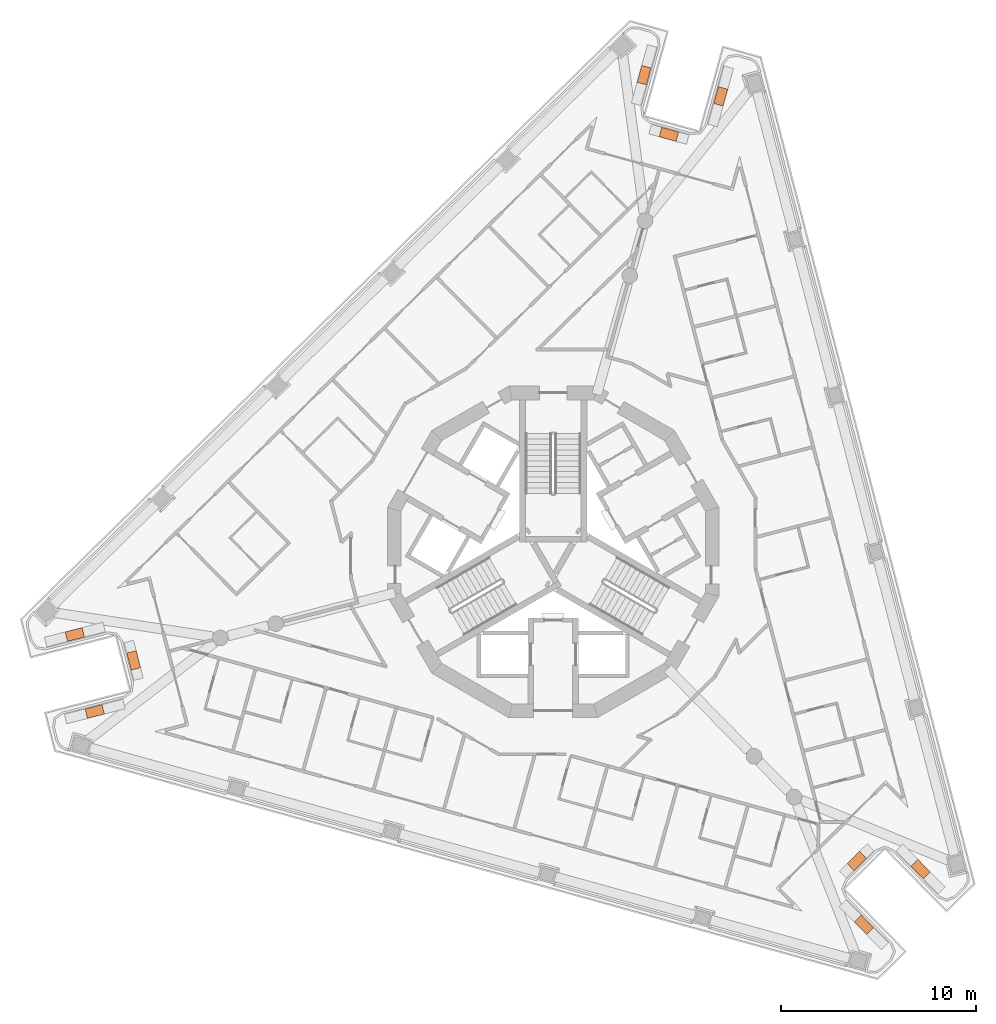
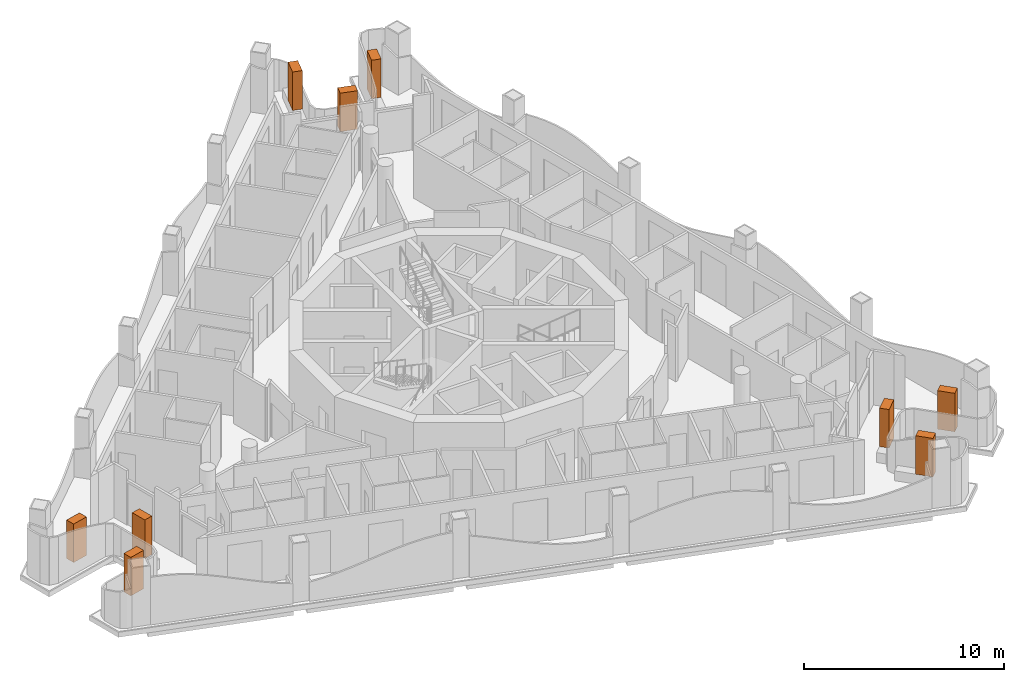
# One storey, part 15 of 15: 9 geographic elements.
"""IFC4 building model written with IfcOpenShell, lengths in metres."""

import ifcopenshell
import ifcopenshell.guid

model = None  # the IFC model being written
_history = None  # IfcOwnerHistory: only IFC2X3 demands one
_inside = {}  # id of a spatial element -> (the spatial element, [elements in it])
_under = {}  # id of a project, library or spatial element -> (it, [spatial elements below it])
_declared = {}  # id of a project -> (the project, [libraries it declares])
_typed = {}  # id of a type object -> (the type object, [elements of that type])
_made_of = {}  # id of a material, layer set ... -> (it, [elements and type objects made of it])


def new_model(schema):
    """Start an empty IFC model of exactly this schema.

    Asked for "IFC4X3", IfcOpenShell would pick the latest addendum, in which some entities
    have other attributes; the version numbers below select the first issue.
    IFC2X3 requires an IfcOwnerHistory on every rooted entity: one is made here for all.
    """
    global model, _history
    if schema == "IFC4X3":
        model = ifcopenshell.file(schema_version=(4, 3, 0, 0))
    else:
        model = ifcopenshell.file(schema=schema)
    _inside.clear()
    _under.clear()
    _declared.clear()
    _typed.clear()
    _made_of.clear()
    _history = None
    if model.schema == "IFC2X3":
        org = make("IfcOrganization", Name="unknown")
        user = make(
            "IfcPersonAndOrganization",
            ThePerson=make("IfcPerson", FamilyName="unknown"),
            TheOrganization=org,
        )
        app = make(
            "IfcApplication",
            ApplicationDeveloper=org,
            Version="unknown",
            ApplicationFullName="unknown",
            ApplicationIdentifier="unknown",
        )
        _history = make(
            "IfcOwnerHistory",
            OwningUser=user,
            OwningApplication=app,
            ChangeAction="ADDED",
            CreationDate=0,
        )
    return model


def make(cls, **values):
    """One entity of the class cls with the attributes given. An attribute that is None is left unset."""
    return model.create_entity(
        cls, **{name: value for name, value in values.items() if value is not None}
    )


def rooted(cls, **values):
    """An entity with a GlobalId (a new one), such as an element, a storey or a relation."""
    return make(cls, GlobalId=ifcopenshell.guid.new(), OwnerHistory=_history, **values)


def si_unit(unit_type, name, prefix=None):
    """IfcSIUnit, for example si_unit("LENGTHUNIT", "METRE", prefix="MILLI")."""
    return make("IfcSIUnit", UnitType=unit_type, Prefix=prefix, Name=name)


def assignment(units):
    """IfcUnitAssignment: the units of a project."""
    return None if units is None else make("IfcUnitAssignment", Units=units)


def point(xyz):
    """IfcCartesianPoint."""
    return None if xyz is None else make("IfcCartesianPoint", Coordinates=xyz)


def direction(xyz):
    """IfcDirection."""
    return None if xyz is None else make("IfcDirection", DirectionRatios=xyz)


def frame(location, z_axis=None, x_axis=None):
    """IfcAxis2Placement3D, a coordinate frame: its origin and axes. An axis left out is left unset."""
    return make(
        "IfcAxis2Placement3D",
        Location=point(location),
        Axis=direction(z_axis),
        RefDirection=direction(x_axis),
    )


def frame_2d(location, x_axis=None):
    """IfcAxis2Placement2D, a coordinate frame in the plane: its origin and x axis."""
    return make(
        "IfcAxis2Placement2D", Location=point(location), RefDirection=direction(x_axis)
    )


def origin():
    """The frame at (0, 0, 0) with its axes left unset."""
    return frame((0.0, 0.0, 0.0))


def origin_2d():
    """The frame at (0, 0) in the plane with its x axis left unset."""
    return frame_2d((0.0, 0.0))


def place(relative_to, where):
    """IfcLocalPlacement: puts the frame where relative to a parent placement (None: the world)."""
    return make(
        "IfcLocalPlacement", PlacementRelTo=relative_to, RelativePlacement=where
    )


def context(
    kind, dimensions, precision=None, world=None, true_north=None, identifier=None
):
    """IfcGeometricRepresentationContext, for example the 3D "Model" context."""
    return make(
        "IfcGeometricRepresentationContext",
        ContextIdentifier=identifier,
        ContextType=kind,
        CoordinateSpaceDimension=dimensions,
        Precision=precision,
        WorldCoordinateSystem=world,
        TrueNorth=true_north,
    )


def subcontext(parent, identifier, kind, view, scale=None):
    """IfcGeometricRepresentationSubContext, for example "Body" below "Model"."""
    return make(
        "IfcGeometricRepresentationSubContext",
        ContextIdentifier=identifier,
        ContextType=kind,
        ParentContext=parent,
        TargetScale=scale,
        TargetView=view,
    )


def project(units=None, contexts=None):
    """IfcProject with its units and contexts."""
    return rooted(
        "IfcProject",
        Name="project",
        RepresentationContexts=contexts,
        UnitsInContext=assignment(units),
    )


def spatial(cls, under=None, at=None, **own):
    """A site, building, storey or space (cls), placed at a placement, below another one or the project."""
    s = rooted(cls, ObjectPlacement=at, **own)
    if under is not None:
        _under.setdefault(under.id(), (under, []))[1].append(s)
    return s


def profile(cls, at=None, kind="AREA", **sizes):
    """A parametric profile (cls). Its sizes go by their IFC names, for example OverallWidth=200.0."""
    return make(cls, ProfileType=kind, Position=at, **sizes)


def rectangle(**sizes):
    """IfcRectangleProfileDef."""
    return profile("IfcRectangleProfileDef", **sizes)


def extrude(swept, where, along, depth):
    """IfcExtrudedAreaSolid: the profile swept, set in the frame where, extruded along a direction by depth."""
    return make(
        "IfcExtrudedAreaSolid",
        SweptArea=swept,
        Position=where,
        ExtrudedDirection=direction(along),
        Depth=depth,
    )


def shape(context_of_items, identifier, shape_type, items):
    """IfcShapeRepresentation: the items that make up one representation, for example the "Body"."""
    return make(
        "IfcShapeRepresentation",
        ContextOfItems=context_of_items,
        RepresentationIdentifier=identifier,
        RepresentationType=shape_type,
        Items=items,
    )


def made_of(thing, what):
    """Note that an element or type object is made of a material, layer set ...; save() writes the relation."""
    if what is not None:
        _made_of.setdefault(what.id(), (what, []))[1].append(thing)
    return thing


def element(
    cls,
    number,
    at=None,
    inside=None,
    cuts=None,
    type_object=None,
    material=None,
    context=None,
    identifier="Body",
    shape_type=None,
    held_by="IfcProductDefinitionShape",
    body=None,
    shapes=None,
    **own,
):
    """One element of the class cls, such as IfcWall. Its Tag is "e" and its number.

    at: its placement. inside: the storey or other place that contains it. cuts: it is an
    opening in that element (IfcRelVoidsElement). A single representation is given by context,
    identifier, shape_type and body (its items); several are given by shapes. held_by: the class
    of the entity that holds the representations. save() writes the other relations.
    """
    e = rooted(cls, Tag="e%d" % number, ObjectPlacement=at, **own)
    if body is not None:
        shapes = [shape(context, identifier, shape_type, body)]
    if shapes is not None:
        e.Representation = make(held_by, Representations=shapes)
    if inside is not None:
        _inside.setdefault(inside.id(), (inside, []))[1].append(e)
    if cuts is not None:
        rooted(
            "IfcRelVoidsElement", RelatingBuildingElement=cuts, RelatedOpeningElement=e
        )
    if type_object is not None:
        _typed.setdefault(type_object.id(), (type_object, []))[1].append(e)
    return made_of(e, material)


def aggregate(whole, parts):
    """IfcRelAggregates: a whole, such as a stair, and the parts it consists of."""
    return rooted("IfcRelAggregates", RelatingObject=whole, RelatedObjects=parts)


def save(model, path):
    """Write the relations noted so far, then the file.

    IfcRelAggregates (storeys below a building ...), IfcRelContainedInSpatialStructure (elements
    in a storey), IfcRelDefinesByType, IfcRelAssociatesMaterial and IfcRelDeclares: one each for
    every whole, place, type object, material and project.
    """
    for whole, parts in _under.values():
        aggregate(whole, parts)
    for where, things in _inside.values():
        rooted(
            "IfcRelContainedInSpatialStructure",
            RelatedElements=things,
            RelatingStructure=where,
        )
    for kind, things in _typed.values():
        rooted("IfcRelDefinesByType", RelatedObjects=things, RelatingType=kind)
    for what, things in _made_of.values():
        rooted("IfcRelAssociatesMaterial", RelatedObjects=things, RelatingMaterial=what)
    for by, libraries in _declared.values():
        rooted("IfcRelDeclares", RelatingContext=by, RelatedDefinitions=libraries)
    model.write(path)


model = new_model("IFC4")

# Units and contexts
model_context = context("Model", 3, precision=1e-05, world=origin(), true_north=direction((0.0, 1.0)))
body_context = subcontext(model_context, "Body", "Model", "MODEL_VIEW")
ifc_project = project(units=[si_unit("LENGTHUNIT", "METRE"), si_unit("AREAUNIT", "SQUARE_METRE"), si_unit("VOLUMEUNIT", "CUBIC_METRE"), si_unit("PLANEANGLEUNIT", "RADIAN"), si_unit("MASSUNIT", "GRAM", prefix="KILO")], contexts=[model_context])

# Site, building, storey
site_placement = place(None, origin())
site = spatial("IfcSite", under=ifc_project, at=site_placement, CompositionType="ELEMENT")
building_placement = place(site_placement, origin())
building = spatial("IfcBuilding", under=site, at=building_placement, Name="Trine Commons Tower", CompositionType="ELEMENT")
storey_placement = place(building_placement, frame((0.0, 0.0, 256.5)))
storey = spatial("IfcBuildingStorey", under=building, at=storey_placement, Name="L67", CompositionType="ELEMENT", Elevation=256.5)

# Geographic elements
for number, where, z_axis, x_axis, name in (
    (1, (56.49560546875, 54.314208984375, 0.599853515625), (0.0, 0.0, 1.0), (0.968152010186, 0.250363106652, 0.0), "Tree 1.1"),
    (2, (58.4921875, 56.937744140625, 0.599853515625), (0.0, 0.0, 1.0), (-0.250410419186, 0.968139773981, 0.0), "Tree 2.1"),
    (3, (55.473876953125, 58.264404296875, 0.599853515625), (0.0, 0.0, 1.0), (-0.968152010186, -0.250363106652, 0.0), "Tree 3.1"),
    (4, (84.6630859375, 86.948486328125, 0.599853515625), (0.0, 0.0, 1.0), (-0.26724005793, -0.963629986788, 0.0), "Tree 4.1"),
    (5, (85.936767578125, 83.907470703125, 0.599853515625), (0.0, 0.0, 1.0), (0.963633718069, -0.267226603091, 0.0), "Tree 5.1"),
    (6, (88.5947265625, 85.85791015625, 0.599853515625), (0.0, 0.0, 1.0), (0.26724005793, 0.963629986788, 0.0), "Tree 6.1"),
    (7, (98.84130859375, 46.2373046875, 0.599853515625), (0.0, 0.0, 1.0), (-0.700898060502, 0.713261458923, 0.0), "Tree 7.1"),
    (8, (95.57080078125, 46.65478515625, 0.599853515625), (0.0, 0.0, 1.0), (-0.713239439209, -0.700920467925, 0.0), "Tree 8.1"),
    (9, (95.931396484375, 43.377685546875, 0.599853515625), (0.0, 0.0, 1.0), (0.700898060502, -0.713261458923, 0.0), "Tree 9.1"),
):
    element("IfcGeographicElement", number, at=place(storey_placement, frame(where, z_axis=z_axis, x_axis=x_axis)), inside=storey, Name=name, ObjectType="TREE Tabebuia rosea", PredefinedType="USERDEFINED", context=body_context, shape_type="SweptSolid", body=[
        extrude(rectangle(XDim=0.89990234375, YDim=0.5, at=origin_2d()), origin(), (0.0, 0.0, 1.0), 2.35009765625),
    ])

save(model, "model.ifc")
